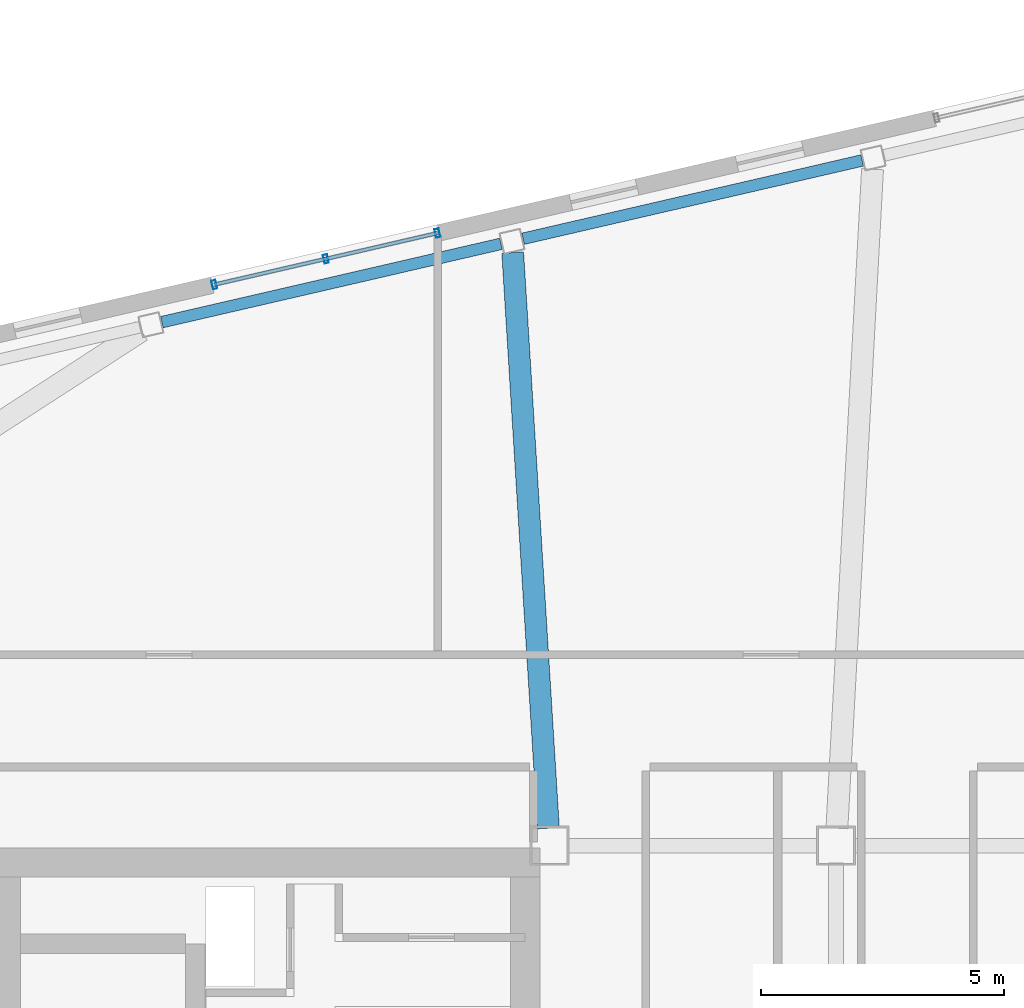
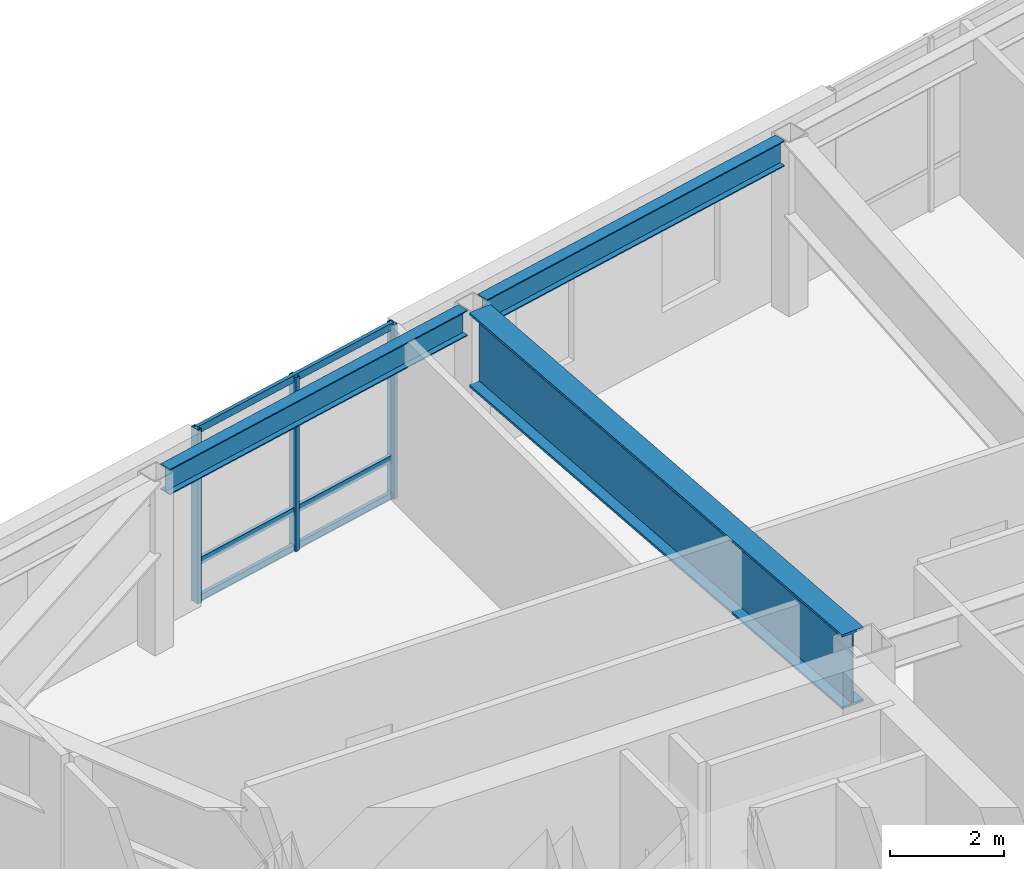
# One storey, part 10 of 21: 6 members, 3 beams, 1 element without a shape of its own.
"""IFC4 building model written with IfcOpenShell, lengths in metres."""

from ifc_helpers import new_model, si_unit, direction, frame, origin, origin_2d, place, context, subcontext, project, spatial, hollow_rectangle, i_section, extrude, material, layer, layer_set, material_profile, profile_set, type_object, element, aggregate, save


model = new_model("IFC4")

# Units and contexts
model_context = context("Model", 3, precision=1e-05, world=origin(), true_north=direction((0.0, 1.0)))
body_context = subcontext(model_context, "Body", "Model", "MODEL_VIEW")
ifc_project = project(units=[si_unit("LENGTHUNIT", "METRE"), si_unit("AREAUNIT", "SQUARE_METRE"), si_unit("VOLUMEUNIT", "CUBIC_METRE"), si_unit("PLANEANGLEUNIT", "RADIAN"), si_unit("MASSUNIT", "GRAM", prefix="KILO")], contexts=[model_context])

# Site, building, storey
site_placement = place(None, origin())
site = spatial("IfcSite", under=ifc_project, at=site_placement, CompositionType="ELEMENT")
building_placement = place(site_placement, origin())
building = spatial("IfcBuilding", under=site, at=building_placement, Name="Tavrogorsk Clinical Tower", CompositionType="ELEMENT")
storey_placement = place(building_placement, frame((0.0, 0.0, 281.0)))
storey = spatial("IfcBuildingStorey", under=building, at=storey_placement, Name="L65", CompositionType="ELEMENT", Elevation=281.0)

# Curtain wall, members
ifc_material_1 = material(Name="Anodised aluminium and triple IGU glazing", Category="aluminium")
ifc_layer = layer(ifc_material_1, 0.179931640625)
ifc_layer_set = layer_set([ifc_layer], Name="Anodised aluminium and triple IGU glazing")
curtain_wall_type = type_object("IfcCurtainWallType", Name="CW2_NorthSlot", PredefinedType="NOTDEFINED", material=ifc_layer_set)
curtain_wall_placement = place(storey_placement, origin())
curtain_wall = element("IfcCurtainWall", 1, at=curtain_wall_placement, inside=storey, type_object=curtain_wall_type, Name="L65 Curtain Wall CW-L65-N-SLOT-1", PredefinedType="NOTDEFINED")
ifc_material_2 = material(Name="Anodised aluminium alloy AW-6060", Category="aluminium")
ifc_material_profile_1 = material_profile(ifc_material_2, hollow_rectangle(XDim=0.090087890625, YDim=0.179931640625, WallThickness=0.00634765625, at=origin_2d()), Name="RHS-180x90x6.3")
ifc_profile_set_1 = profile_set([ifc_material_profile_1], Name="Anodised aluminium alloy AW-6060")
member_type_1 = type_object("IfcMemberType", Name="CwMullion_180x90", PredefinedType="MULLION", material=ifc_profile_set_1)
member_1_placement = place(storey_placement, frame((-12.608154296875, 18.9658203125, 0.0), z_axis=(0.0, 0.0, 1.0), x_axis=(-0.974370057377, -0.224951086434, 0.0)))
member_1 = element("IfcMember", 2, at=member_1_placement, type_object=member_type_1, Name="CW-L65-N-SLOT-1 Mullion 1", PredefinedType="MULLION", context=body_context, shape_type="SweptSolid", body=[
    extrude(hollow_rectangle(XDim=0.090087890625, YDim=0.179931640625, WallThickness=0.00634765625, at=origin_2d()), origin(), (0.0, 0.0, 1.0), 3.739990234375),
])
member_2_placement = place(storey_placement, frame((-14.90673828125, 18.435302734375, 0.0), z_axis=(0.0, 0.0, 1.0), x_axis=(-0.974370057377, -0.224951086434, 0.0)))
member_2 = element("IfcMember", 3, at=member_2_placement, type_object=member_type_1, Name="CW-L65-N-SLOT-1 Mullion 2", PredefinedType="MULLION", context=body_context, shape_type="SweptSolid", body=[
    extrude(hollow_rectangle(XDim=0.090087890625, YDim=0.179931640625, WallThickness=0.00634765625, at=origin_2d()), origin(), (0.0, 0.0, 1.0), 3.739990234375),
])
member_3_placement = place(storey_placement, frame((-17.205322265625, 17.904541015625, 0.0), z_axis=(0.0, 0.0, 1.0), x_axis=(-0.974370057377, -0.224951086434, 0.0)))
member_3 = element("IfcMember", 4, at=member_3_placement, type_object=member_type_1, Name="CW-L65-N-SLOT-1 Mullion 3", PredefinedType="MULLION", context=body_context, shape_type="SweptSolid", body=[
    extrude(hollow_rectangle(XDim=0.090087890625, YDim=0.179931640625, WallThickness=0.00634765625, at=origin_2d()), origin(), (0.0, 0.0, 1.0), 3.739990234375),
])
ifc_material_3 = material(Name="Anodised aluminium alloy AW-6060", Category="aluminium")
ifc_material_profile_2 = material_profile(ifc_material_3, hollow_rectangle(XDim=0.074951171875, YDim=0.14990234375, WallThickness=0.0048828125, at=origin_2d()), Name="RHS-150x75x5")
ifc_profile_set_2 = profile_set([ifc_material_profile_2], Name="Anodised aluminium alloy AW-6060")
member_type_2 = type_object("IfcMemberType", Name="CwTransom_150x75", PredefinedType="USERDEFINED", material=ifc_profile_set_2)
member_4_placement = place(storey_placement, frame((-12.608154296875, 18.9658203125, 0.050048828125), z_axis=(-0.974372877948, -0.22493886885, 0.0), x_axis=(0.22493886885, -0.974372877948, 0.0)))
member_4 = element("IfcMember", 5, at=member_4_placement, type_object=member_type_2, Name="CW-L65-N-SLOT-1 Transom 1", ObjectType="TRANSOM", PredefinedType="USERDEFINED", context=body_context, shape_type="SweptSolid", body=[
    extrude(hollow_rectangle(XDim=0.074951171875, YDim=0.14990234375, WallThickness=0.0048828125, at=origin_2d()), origin(), (0.0, 0.0, 1.0), 4.718017578125),
])
member_5_placement = place(storey_placement, frame((-12.608154296875, 18.9658203125, 0.85009765625), z_axis=(-0.974372877948, -0.22493886885, 0.0), x_axis=(0.22493886885, -0.974372877948, 0.0)))
member_5 = element("IfcMember", 6, at=member_5_placement, type_object=member_type_2, Name="CW-L65-N-SLOT-1 Transom 2", ObjectType="TRANSOM", PredefinedType="USERDEFINED", context=body_context, shape_type="SweptSolid", body=[
    extrude(hollow_rectangle(XDim=0.074951171875, YDim=0.14990234375, WallThickness=0.0048828125, at=origin_2d()), origin(), (0.0, 0.0, 1.0), 4.718017578125),
])
member_6_placement = place(storey_placement, frame((-12.608154296875, 18.9658203125, 3.68994140625), z_axis=(-0.974372877948, -0.22493886885, 0.0), x_axis=(0.22493886885, -0.974372877948, 0.0)))
member_6 = element("IfcMember", 7, at=member_6_placement, type_object=member_type_2, Name="CW-L65-N-SLOT-1 Transom 3", ObjectType="TRANSOM", PredefinedType="USERDEFINED", context=body_context, shape_type="SweptSolid", body=[
    extrude(hollow_rectangle(XDim=0.074951171875, YDim=0.14990234375, WallThickness=0.0048828125, at=origin_2d()), origin(), (0.0, 0.0, 1.0), 4.718017578125),
])
aggregate(curtain_wall, [member_1, member_2, member_3, member_4, member_5, member_6])

# Beams
ifc_material_4 = material(Name="Structural steel S390", Category="steel")
ifc_material_profile_3 = material_profile(ifc_material_4, i_section(OverallWidth=0.239990234375, OverallDepth=0.550048828125, WebThickness=0.013916015625, FlangeThickness=0.02197265625, at=origin_2d()), Name="B-550x240x14x22")
ifc_profile_set_3 = profile_set([ifc_material_profile_3], Name="Structural steel S390")
beam_type_1 = type_object("IfcBeamType", Name="SpandrelBeam_B550", PredefinedType="SPANDREL", material=ifc_profile_set_3)
for number, where, z_axis, x_axis, name in (
    (8, (-3.861328125, 20.4619140625, 3.465087890625), (-0.974367655018, -0.224961491939, 0.0), (0.224961491939, -0.974367655018, 0.0), "L65 Perimeter Spandrel N4-N5"),
    (9, (-11.2998046875, 18.74462890625, 3.465087890625), (-0.974367655018, -0.224961491939, 0.0), (0.224961491939, -0.974367655018, 0.0), "L65 Perimeter Spandrel N5-N6"),
):
    element("IfcBeam", number, at=place(storey_placement, frame(where, z_axis=z_axis, x_axis=x_axis)), inside=storey, type_object=beam_type_1, Name=name, PredefinedType="SPANDREL", context=body_context, shape_type="SweptSolid", body=[
        extrude(i_section(OverallWidth=0.239990234375, OverallDepth=0.550048828125, WebThickness=0.013916015625, FlangeThickness=0.02197265625, at=origin_2d()), origin(), (0.0, 0.0, 1.0), 7.168212890625),
    ])
ifc_material_5 = material(Name="Structural steel S440", Category="steel")
ifc_material_profile_4 = material_profile(ifc_material_5, i_section(OverallWidth=0.449951171875, OverallDepth=1.60009765625, WebThickness=0.031982421875, FlangeThickness=0.050048828125, at=origin_2d()), Name="DK-1600x450x32x50")
ifc_profile_set_4 = profile_set([ifc_material_profile_4], Name="Structural steel S440")
beam_type_2 = type_object("IfcBeamType", Name="TransferGirder_DK1600", PredefinedType="USERDEFINED", material=ifc_profile_set_4)
beam_placement = place(storey_placement, frame((-10.322265625, 6.709228515625, 2.93994140625), z_axis=(-0.061970081602, 0.998078007465, 0.0), x_axis=(-0.998078007465, -0.061970081602, 0.0)))
element("IfcBeam", 10, at=beam_placement, inside=storey, type_object=beam_type_2, Name="L65 Radial Floor Beam N5", ObjectType="GIRDER", PredefinedType="USERDEFINED", context=body_context, shape_type="SweptSolid", body=[
    extrude(i_section(OverallWidth=0.449951171875, OverallDepth=1.60009765625, WebThickness=0.031982421875, FlangeThickness=0.050048828125, at=origin_2d()), origin(), (0.0, 0.0, 1.0), 11.878173828125),
])

save(model, "model.ifc")
